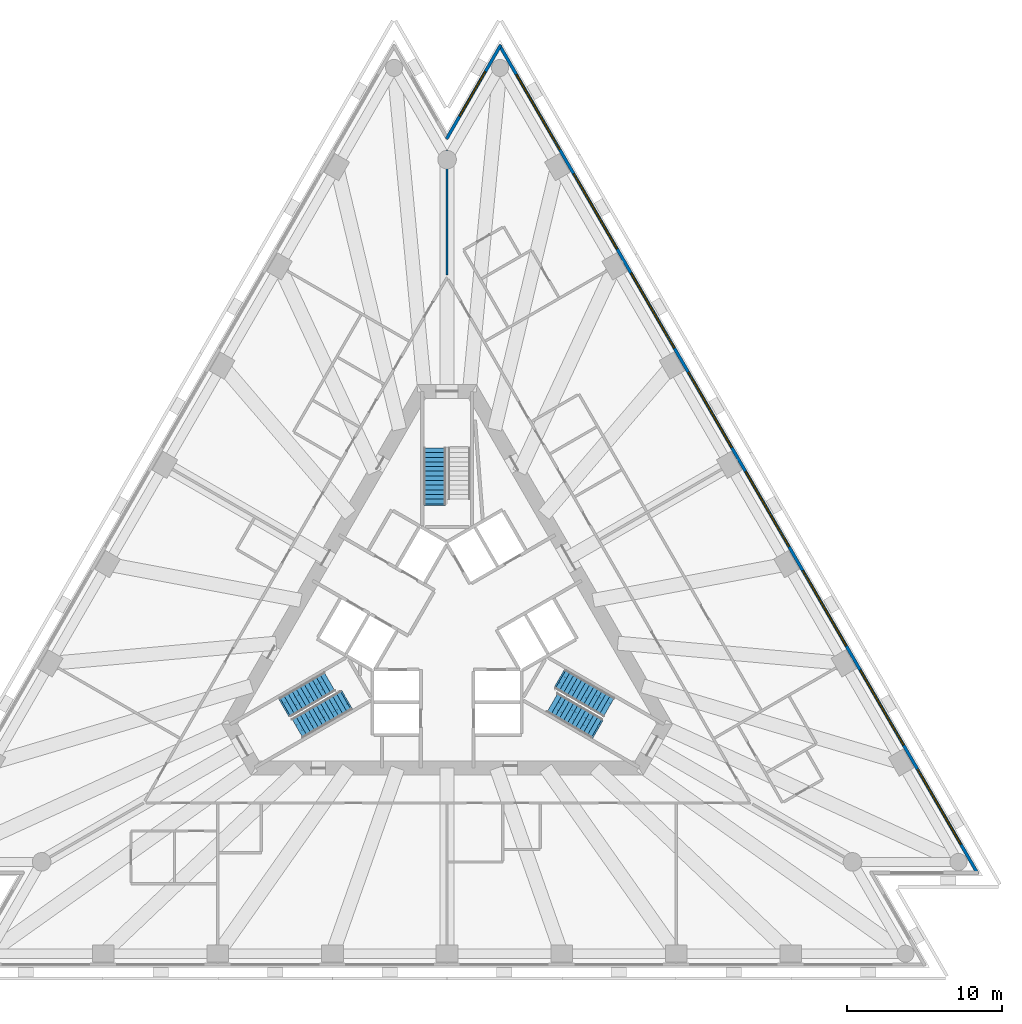
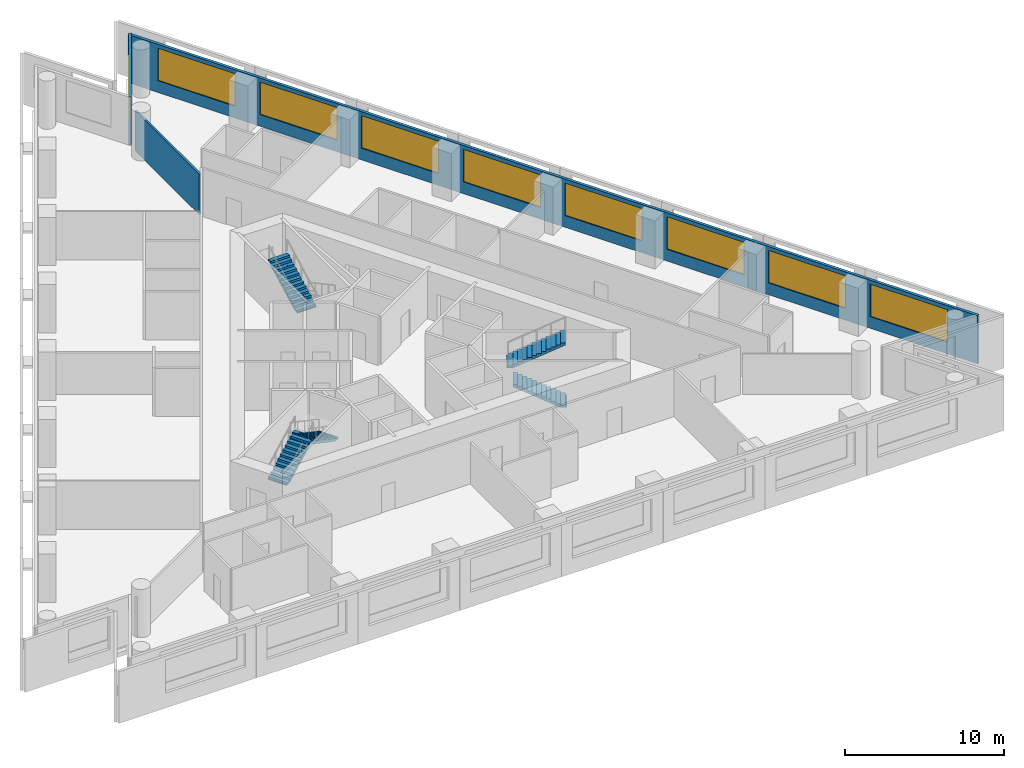
# One storey, part 8 of 11: 9 windows, 5 stair flights, 3 walls, 9 openings, 3 elements without a shape of their own.
"""IFC4 building model written with IfcOpenShell, lengths in metres."""

from ifc_helpers import new_model, si_unit, direction, frame, frame_2d, origin, place, context, subcontext, project, spatial, polyline, rectangle, outline, extrude, material, layer, layer_set, layer_usage, type_object, element, fill, aggregate, save


model = new_model("IFC4")

# Units and contexts
model_context = context("Model", 3, precision=1e-05, world=origin(), true_north=direction((0.0, 1.0)))
body_context = subcontext(model_context, "Body", "Model", "MODEL_VIEW")
ifc_project = project(units=[si_unit("LENGTHUNIT", "METRE"), si_unit("AREAUNIT", "SQUARE_METRE"), si_unit("VOLUMEUNIT", "CUBIC_METRE"), si_unit("PLANEANGLEUNIT", "RADIAN"), si_unit("MASSUNIT", "GRAM", prefix="KILO")], contexts=[model_context])

# Site, building, storey
site_placement = place(None, origin())
site = spatial("IfcSite", under=ifc_project, at=site_placement, CompositionType="ELEMENT")
building_placement = place(site_placement, origin())
building = spatial("IfcBuilding", under=site, at=building_placement, Name="Triada Interchange Tower", CompositionType="ELEMENT")
storey_placement = place(building_placement, frame((0.0, 0.0, 67.300048828125)))
storey = spatial("IfcBuildingStorey", under=building, at=storey_placement, Name="L14", CompositionType="ELEMENT", Elevation=67.300048828125)

# Wall, openings, windows
ifc_material_1 = material(Name="Cement board")
ifc_layer_1 = layer(ifc_material_1, 0.02001953125, Name="Cement board cladding")
ifc_material_2 = material(Name="Sheathing board")
ifc_layer_2 = layer(ifc_material_2, 0.014892578125, Name="Sheathing board")
ifc_material_3 = material(Name="Mineral wool")
ifc_layer_3 = layer(ifc_material_3, 0.14990234375, Name="Mineral wool between steel studs")
ifc_material_4 = material(Name="Gypsum board")
ifc_layer_4 = layer(ifc_material_4, 0.014892578125, Name="Plasterboard lining")
ifc_layer_set_1 = layer_set([ifc_layer_1, ifc_layer_2, ifc_layer_3, ifc_layer_4], Name="External wall 200")
ifc_layer_usage = layer_usage(ifc_layer_set_1, "AXIS2", "POSITIVE", -0.10009765625)
wall_type_1 = type_object("IfcWallType", Name="External wall 200", PredefinedType="ELEMENTEDWALL", material=ifc_layer_set_1)
wall_1_placement = place(storey_placement, frame((34.240966796875, -15.8759765625, 0.0), z_axis=(0.0, 0.0, 1.0), x_axis=(-0.500006313899, 0.866021758423, 0.0)))
wall_1 = element("IfcWall", 1, at=wall_1_placement, inside=storey, type_object=wall_type_1, material=ifc_layer_usage, Name="External wall L14 NE", PredefinedType="ELEMENTEDWALL", context=body_context, shape_type="SweptSolid", body=[
    extrude(rectangle(XDim=61.718994140625, YDim=0.199951171875, at=frame_2d((30.859375, 0.0))), origin(), (0.0, 0.0, 1.0), 3.699951171875),
])
opening_1_placement = place(wall_1_placement, frame((2.198974609375, 0.0, 0.89990234375)))
opening_1 = element("IfcOpeningElement", 2, at=opening_1_placement, cuts=wall_1, Name="Opening WA21", PredefinedType="OPENING", context=body_context, shape_type="SweptSolid", body=[
    extrude(rectangle(XDim=5.60009765625, YDim=2.5, at=frame_2d((2.800048828125, 1.25))), frame((0.0, 0.10986328125, 0.0), z_axis=(0.0, -1.0, 0.0), x_axis=(1.0, 0.0, 0.0)), (0.0, 0.0, 1.0), 0.219970703125),
])
opening_2_placement = place(wall_1_placement, frame((9.590087890625, 0.0, 0.89990234375)))
opening_2 = element("IfcOpeningElement", 3, at=opening_2_placement, cuts=wall_1, Name="Opening WA22", PredefinedType="OPENING", context=body_context, shape_type="SweptSolid", body=[
    extrude(rectangle(XDim=5.60009765625, YDim=2.5, at=frame_2d((2.800048828125, 1.25))), frame((0.0, 0.10986328125, 0.0), z_axis=(0.0, -1.0, 0.0), x_axis=(1.0, 0.0, 0.0)), (0.0, 0.0, 1.0), 0.219970703125),
])
opening_3_placement = place(wall_1_placement, frame((16.98193359375, 0.0, 0.89990234375)))
opening_3 = element("IfcOpeningElement", 4, at=opening_3_placement, cuts=wall_1, Name="Opening WA23", PredefinedType="OPENING", context=body_context, shape_type="SweptSolid", body=[
    extrude(rectangle(XDim=5.60009765625, YDim=2.5, at=frame_2d((2.800048828125, 1.25))), frame((0.0, 0.10986328125, 0.0), z_axis=(0.0, -1.0, 0.0), x_axis=(1.0, 0.0, 0.0)), (0.0, 0.0, 1.0), 0.219970703125),
])
opening_4_placement = place(wall_1_placement, frame((24.3740234375, 0.0, 0.89990234375)))
opening_4 = element("IfcOpeningElement", 5, at=opening_4_placement, cuts=wall_1, Name="Opening WA24", PredefinedType="OPENING", context=body_context, shape_type="SweptSolid", body=[
    extrude(rectangle(XDim=5.60009765625, YDim=2.5, at=frame_2d((2.800048828125, 1.25))), frame((0.0, 0.10986328125, 0.0), z_axis=(0.0, -1.0, 0.0), x_axis=(1.0, 0.0, 0.0)), (0.0, 0.0, 1.0), 0.219970703125),
])
opening_5_placement = place(wall_1_placement, frame((31.764892578125, 0.0, 0.89990234375)))
opening_5 = element("IfcOpeningElement", 6, at=opening_5_placement, cuts=wall_1, Name="Opening WA25", PredefinedType="OPENING", context=body_context, shape_type="SweptSolid", body=[
    extrude(rectangle(XDim=5.60009765625, YDim=2.5, at=frame_2d((2.800048828125, 1.25))), frame((0.0, 0.10986328125, 0.0), z_axis=(0.0, -1.0, 0.0), x_axis=(1.0, 0.0, 0.0)), (0.0, 0.0, 1.0), 0.219970703125),
])
opening_6_placement = place(wall_1_placement, frame((39.156982421875, 0.0, 0.89990234375)))
opening_6 = element("IfcOpeningElement", 7, at=opening_6_placement, cuts=wall_1, Name="Opening WA26", PredefinedType="OPENING", context=body_context, shape_type="SweptSolid", body=[
    extrude(rectangle(XDim=5.60009765625, YDim=2.5, at=frame_2d((2.800048828125, 1.25))), frame((0.0, 0.10986328125, 0.0), z_axis=(0.0, -1.0, 0.0), x_axis=(1.0, 0.0, 0.0)), (0.0, 0.0, 1.0), 0.219970703125),
])
opening_7_placement = place(wall_1_placement, frame((46.549072265625, 0.0, 0.89990234375)))
opening_7 = element("IfcOpeningElement", 8, at=opening_7_placement, cuts=wall_1, Name="Opening WA27", PredefinedType="OPENING", context=body_context, shape_type="SweptSolid", body=[
    extrude(rectangle(XDim=5.60009765625, YDim=2.5, at=frame_2d((2.800048828125, 1.25))), frame((0.0, 0.10986328125, 0.0), z_axis=(0.0, -1.0, 0.0), x_axis=(1.0, 0.0, 0.0)), (0.0, 0.0, 1.0), 0.219970703125),
])
opening_8_placement = place(wall_1_placement, frame((53.93994140625, 0.0, 0.89990234375)))
opening_8 = element("IfcOpeningElement", 9, at=opening_8_placement, cuts=wall_1, Name="Opening WA28", PredefinedType="OPENING", context=body_context, shape_type="SweptSolid", body=[
    extrude(rectangle(XDim=5.60009765625, YDim=2.5, at=frame_2d((2.800048828125, 1.25))), frame((0.0, 0.10986328125, 0.0), z_axis=(0.0, -1.0, 0.0), x_axis=(1.0, 0.0, 0.0)), (0.0, 0.0, 1.0), 0.219970703125),
])
ifc_material_5 = material(Name="Double glazed aluminium window", Category="aluminium")
window_type_1 = type_object("IfcWindowType", Name="Ribbon window A face", PartitioningType="SINGLE_PANEL", PredefinedType="WINDOW", material=ifc_material_5)
window_1_placement = place(opening_1_placement, origin())
window_1 = element("IfcWindow", 10, at=window_1_placement, inside=storey, type_object=window_type_1, Name="Window L14 NE 1", OverallHeight=2.5, OverallWidth=5.60009765625, PartitioningType="SINGLE_PANEL", PredefinedType="WINDOW", context=body_context, shape_type="SweptSolid", body=[
    extrude(rectangle(XDim=5.60009765625, YDim=2.5, at=frame_2d((2.800048828125, 1.25))), frame((0.0, 0.030029296875, 0.0), z_axis=(0.0, -1.0, 0.0), x_axis=(1.0, 0.0, 0.0)), (0.0, 0.0, 1.0), 0.06005859375),
])
fill(opening_1, window_1)
window_2_placement = place(opening_2_placement, origin())
window_2 = element("IfcWindow", 11, at=window_2_placement, inside=storey, type_object=window_type_1, Name="Window L14 NE 2", OverallHeight=2.5, OverallWidth=5.60009765625, PartitioningType="SINGLE_PANEL", PredefinedType="WINDOW", context=body_context, shape_type="SweptSolid", body=[
    extrude(rectangle(XDim=5.60009765625, YDim=2.5, at=frame_2d((2.800048828125, 1.25))), frame((0.0, 0.030029296875, 0.0), z_axis=(0.0, -1.0, 0.0), x_axis=(1.0, 0.0, 0.0)), (0.0, 0.0, 1.0), 0.06005859375),
])
fill(opening_2, window_2)
window_3_placement = place(opening_3_placement, origin())
window_3 = element("IfcWindow", 12, at=window_3_placement, inside=storey, type_object=window_type_1, Name="Window L14 NE 3", OverallHeight=2.5, OverallWidth=5.60009765625, PartitioningType="SINGLE_PANEL", PredefinedType="WINDOW", context=body_context, shape_type="SweptSolid", body=[
    extrude(rectangle(XDim=5.60009765625, YDim=2.5, at=frame_2d((2.800048828125, 1.25))), frame((0.0, 0.030029296875, 0.0), z_axis=(0.0, -1.0, 0.0), x_axis=(1.0, 0.0, 0.0)), (0.0, 0.0, 1.0), 0.06005859375),
])
fill(opening_3, window_3)
window_4_placement = place(opening_4_placement, origin())
window_4 = element("IfcWindow", 13, at=window_4_placement, inside=storey, type_object=window_type_1, Name="Window L14 NE 4", OverallHeight=2.5, OverallWidth=5.60009765625, PartitioningType="SINGLE_PANEL", PredefinedType="WINDOW", context=body_context, shape_type="SweptSolid", body=[
    extrude(rectangle(XDim=5.60009765625, YDim=2.5, at=frame_2d((2.800048828125, 1.25))), frame((0.0, 0.030029296875, 0.0), z_axis=(0.0, -1.0, 0.0), x_axis=(1.0, 0.0, 0.0)), (0.0, 0.0, 1.0), 0.06005859375),
])
fill(opening_4, window_4)
window_5_placement = place(opening_5_placement, origin())
window_5 = element("IfcWindow", 14, at=window_5_placement, inside=storey, type_object=window_type_1, Name="Window L14 NE 5", OverallHeight=2.5, OverallWidth=5.60009765625, PartitioningType="SINGLE_PANEL", PredefinedType="WINDOW", context=body_context, shape_type="SweptSolid", body=[
    extrude(rectangle(XDim=5.60009765625, YDim=2.5, at=frame_2d((2.800048828125, 1.25))), frame((0.0, 0.030029296875, 0.0), z_axis=(0.0, -1.0, 0.0), x_axis=(1.0, 0.0, 0.0)), (0.0, 0.0, 1.0), 0.06005859375),
])
fill(opening_5, window_5)
window_6_placement = place(opening_6_placement, origin())
window_6 = element("IfcWindow", 15, at=window_6_placement, inside=storey, type_object=window_type_1, Name="Window L14 NE 6", OverallHeight=2.5, OverallWidth=5.60009765625, PartitioningType="SINGLE_PANEL", PredefinedType="WINDOW", context=body_context, shape_type="SweptSolid", body=[
    extrude(rectangle(XDim=5.60009765625, YDim=2.5, at=frame_2d((2.800048828125, 1.25))), frame((0.0, 0.030029296875, 0.0), z_axis=(0.0, -1.0, 0.0), x_axis=(1.0, 0.0, 0.0)), (0.0, 0.0, 1.0), 0.06005859375),
])
fill(opening_6, window_6)
window_7_placement = place(opening_7_placement, origin())
window_7 = element("IfcWindow", 16, at=window_7_placement, inside=storey, type_object=window_type_1, Name="Window L14 NE 7", OverallHeight=2.5, OverallWidth=5.60009765625, PartitioningType="SINGLE_PANEL", PredefinedType="WINDOW", context=body_context, shape_type="SweptSolid", body=[
    extrude(rectangle(XDim=5.60009765625, YDim=2.5, at=frame_2d((2.800048828125, 1.25))), frame((0.0, 0.030029296875, 0.0), z_axis=(0.0, -1.0, 0.0), x_axis=(1.0, 0.0, 0.0)), (0.0, 0.0, 1.0), 0.06005859375),
])
fill(opening_7, window_7)
window_8_placement = place(opening_8_placement, origin())
window_8 = element("IfcWindow", 17, at=window_8_placement, inside=storey, type_object=window_type_1, Name="Window L14 NE 8", OverallHeight=2.5, OverallWidth=5.60009765625, PartitioningType="SINGLE_PANEL", PredefinedType="WINDOW", context=body_context, shape_type="SweptSolid", body=[
    extrude(rectangle(XDim=5.60009765625, YDim=2.5, at=frame_2d((2.800048828125, 1.25))), frame((0.0, 0.030029296875, 0.0), z_axis=(0.0, -1.0, 0.0), x_axis=(1.0, 0.0, 0.0)), (0.0, 0.0, 1.0), 0.06005859375),
])
fill(opening_8, window_8)

# Wall, opening, window
wall_2_placement = place(storey_placement, frame((3.4609375, 37.591064453125, 0.0), z_axis=(0.0, 0.0, 1.0), x_axis=(-0.499927968592, -0.866066987143, 0.0)))
wall_2 = element("IfcWall", 18, at=wall_2_placement, inside=storey, type_object=wall_type_1, material=ifc_layer_usage, Name="External wall L14 N-1", PredefinedType="ELEMENTEDWALL", context=body_context, shape_type="SweptSolid", body=[
    extrude(rectangle(XDim=6.99267578125, YDim=0.199951171875, at=frame_2d((3.496337890625, 0.0))), origin(), (0.0, 0.0, 1.0), 3.699951171875),
])
opening_9_placement = place(wall_2_placement, frame((1.989990234375, 0.0, 0.89990234375)))
opening_9 = element("IfcOpeningElement", 19, at=opening_9_placement, cuts=wall_2, Name="Opening WA29", PredefinedType="OPENING", context=body_context, shape_type="SweptSolid", body=[
    extrude(rectangle(XDim=3.300048828125, YDim=2.5, at=frame_2d((1.64990234375, 1.25))), frame((0.0, 0.10986328125, 0.0), z_axis=(0.0, -1.0, 0.0), x_axis=(1.0, 0.0, 0.0)), (0.0, 0.0, 1.0), 0.219970703125),
])
window_type_2 = type_object("IfcWindowType", Name="Ribbon window A pocket", PartitioningType="SINGLE_PANEL", PredefinedType="WINDOW", material=ifc_material_5)
window_9_placement = place(opening_9_placement, origin())
window_9 = element("IfcWindow", 20, at=window_9_placement, inside=storey, type_object=window_type_2, Name="Window L14 N-1 1", OverallHeight=2.5, OverallWidth=3.300048828125, PartitioningType="SINGLE_PANEL", PredefinedType="WINDOW", context=body_context, shape_type="SweptSolid", body=[
    extrude(rectangle(XDim=3.300048828125, YDim=2.5, at=frame_2d((1.64990234375, 1.25))), frame((0.0, 0.030029296875, 0.0), z_axis=(0.0, -1.0, 0.0), x_axis=(1.0, 0.0, 0.0)), (0.0, 0.0, 1.0), 0.06005859375),
])
fill(opening_9, window_9)

# Wall
ifc_material_6 = material(Name="Gypsum board partition")
ifc_layer_5 = layer(ifc_material_6, 0.14990234375)
ifc_layer_set_2 = layer_set([ifc_layer_5], Name="PARTITION 150 EI 180")
wall_type_2 = type_object("IfcWallType", Name="PARTITION 150 EI 180", PredefinedType="PARTITIONING", material=ifc_layer_set_2)
wall_3_placement = place(storey_placement, frame((0.0, 22.75, 0.0), z_axis=(0.0, 0.0, 1.0), x_axis=(0.0, 1.0, 0.0)))
element("IfcWall", 21, at=wall_3_placement, inside=storey, type_object=wall_type_2, Name="Wall L12 19", PredefinedType="PARTITIONING", context=body_context, shape_type="SweptSolid", body=[
    extrude(rectangle(XDim=8.06591796875, YDim=0.14990234375, at=frame_2d((4.032958984375, 0.0))), origin(), (0.0, 0.0, 1.0), 3.099853515625),
])

# Stair, stair flight
ifc_material_7 = material(Name="Concrete C35/45", Category="concrete")
stair_type = type_object("IfcStairType", Name="HALF TURN STAIR 1400", PredefinedType="HALF_TURN_STAIR", material=ifc_material_7)
stair_1_placement = place(storey_placement, origin())
stair_1 = element("IfcStair", 22, at=stair_1_placement, inside=storey, type_object=stair_type, Name="Exit stair S12-1", PredefinedType="HALF_TURN_STAIR")
stair_flight_type = type_object("IfcStairFlightType", Name="STRAIGHT STAIR FLIGHT 1400", PredefinedType="STRAIGHT", material=ifc_material_7)
stair_flight_1_placement = place(storey_placement, frame((-0.800048828125, 8.0, 1.919921875), z_axis=(0.0, 0.0, 1.0), x_axis=(0.0, 1.0, 0.0)))
stair_flight_1 = element("IfcStairFlight", 23, at=stair_flight_1_placement, type_object=stair_flight_type, Name="S12-1 flight 2", NumberOfRisers=13, NumberOfTreads=12, PredefinedType="STRAIGHT", RiserHeight=0.16, TreadLength=0.3, context=body_context, shape_type="SweptSolid", body=[
    extrude(outline(polyline([(-0.10009765625, 0.0), (-0.10009765625, 0.02001953125), (0.0, 0.02001953125), (0.0, 0.159912109375), (0.300048828125, 0.159912109375), (0.300048828125, 0.320068359375), (0.60009765625, 0.320068359375), (0.60009765625, 0.47998046875), (0.89990234375, 0.47998046875), (0.89990234375, 0.639892578125), (1.199951171875, 0.639892578125), (1.199951171875, 0.800048828125), (1.5, 0.800048828125), (1.5, 0.9599609375), (1.800048828125, 0.9599609375), (1.800048828125, 1.1201171875), (2.10009765625, 1.1201171875), (2.10009765625, 1.280029296875), (2.39990234375, 1.280029296875), (2.39990234375, 1.43994140625), (2.699951171875, 1.43994140625), (2.699951171875, 1.60009765625), (3.0, 1.60009765625), (3.0, 1.760009765625), (3.300048828125, 1.760009765625), (3.300048828125, 1.919921875), (3.60009765625, 1.919921875), (3.60400390625, 1.919921875), (3.60400390625, 2.080078125), (3.60400390625, 1.75), (0.318603515625, 0.0), (-0.10009765625, 0.0)])), frame((0.0, 0.699951171875, 0.0), z_axis=(0.0, -1.0, 0.0), x_axis=(1.0, 0.0, 0.0)), (0.0, 0.0, 1.0), 0.46533203125),
    extrude(outline(polyline([(-0.10009765625, 0.0), (-0.10009765625, 0.02001953125), (0.0, 0.02001953125), (0.0, 0.159912109375), (0.300048828125, 0.159912109375), (0.300048828125, 0.320068359375), (0.60009765625, 0.320068359375), (0.60009765625, 0.47998046875), (0.89990234375, 0.47998046875), (0.89990234375, 0.639892578125), (1.199951171875, 0.639892578125), (1.199951171875, 0.800048828125), (1.5, 0.800048828125), (1.5, 0.9599609375), (1.800048828125, 0.9599609375), (1.800048828125, 1.1201171875), (2.10009765625, 1.1201171875), (2.10009765625, 1.280029296875), (2.39990234375, 1.280029296875), (2.39990234375, 1.43994140625), (2.699951171875, 1.43994140625), (2.699951171875, 1.60009765625), (3.0, 1.60009765625), (3.0, 1.760009765625), (3.300048828125, 1.760009765625), (3.300048828125, 1.919921875), (3.60009765625, 1.919921875), (3.60400390625, 1.919921875), (3.60400390625, 2.080078125), (3.60400390625, 1.75), (0.318603515625, 0.0), (-0.10009765625, 0.0)])), frame((0.0, 0.232666015625, 0.0), z_axis=(0.0, -1.0, 0.0), x_axis=(1.0, 0.0, 0.0)), (0.0, 0.0, 1.0), 0.46533203125),
    extrude(outline(polyline([(-0.10009765625, 0.0), (-0.10009765625, 0.02001953125), (0.0, 0.02001953125), (0.0, 0.159912109375), (0.300048828125, 0.159912109375), (0.300048828125, 0.320068359375), (0.60009765625, 0.320068359375), (0.60009765625, 0.47998046875), (0.89990234375, 0.47998046875), (0.89990234375, 0.639892578125), (1.199951171875, 0.639892578125), (1.199951171875, 0.800048828125), (1.5, 0.800048828125), (1.5, 0.9599609375), (1.800048828125, 0.9599609375), (1.800048828125, 1.1201171875), (2.10009765625, 1.1201171875), (2.10009765625, 1.280029296875), (2.39990234375, 1.280029296875), (2.39990234375, 1.43994140625), (2.699951171875, 1.43994140625), (2.699951171875, 1.60009765625), (3.0, 1.60009765625), (3.0, 1.760009765625), (3.300048828125, 1.760009765625), (3.300048828125, 1.919921875), (3.60009765625, 1.919921875), (3.60400390625, 1.919921875), (3.60400390625, 2.080078125), (3.60400390625, 1.75), (0.318603515625, 0.0), (-0.10009765625, 0.0)])), frame((0.0, -0.234619140625, 0.0), z_axis=(0.0, -1.0, 0.0), x_axis=(1.0, 0.0, 0.0)), (0.0, 0.0, 1.0), 0.46533203125),
])
aggregate(stair_1, [stair_flight_1])

# Stair, stair flights
stair_2_placement = place(storey_placement, origin())
stair_2 = element("IfcStair", 24, at=stair_2_placement, inside=storey, type_object=stair_type, Name="Exit stair S12-2", PredefinedType="HALF_TURN_STAIR")
stair_flight_2_placement = place(storey_placement, frame((-10.446044921875, -5.10693359375, 0.0), z_axis=(0.0, 0.0, 1.0), x_axis=(0.866025403784, 0.5, 0.0)))
stair_flight_2 = element("IfcStairFlight", 25, at=stair_flight_2_placement, type_object=stair_flight_type, Name="S12-2 flight 1", NumberOfRisers=12, NumberOfTreads=11, PredefinedType="STRAIGHT", RiserHeight=0.16, TreadLength=0.3, context=body_context, shape_type="SweptSolid", body=[
    extrude(outline(polyline([(-0.10009765625, 0.0), (-0.10009765625, 0.02001953125), (0.0, 0.02001953125), (0.0, 0.159912109375), (0.300048828125, 0.159912109375), (0.300048828125, 0.320068359375), (0.60009765625, 0.320068359375), (0.60009765625, 0.47998046875), (0.89990234375, 0.47998046875), (0.89990234375, 0.639892578125), (1.199951171875, 0.639892578125), (1.199951171875, 0.800048828125), (1.5, 0.800048828125), (1.5, 0.9599609375), (1.800048828125, 0.9599609375), (1.800048828125, 1.1201171875), (2.10009765625, 1.1201171875), (2.10009765625, 1.280029296875), (2.39990234375, 1.280029296875), (2.39990234375, 1.43994140625), (2.699951171875, 1.43994140625), (2.699951171875, 1.60009765625), (3.0, 1.60009765625), (3.0, 1.760009765625), (3.300048828125, 1.760009765625), (3.303955078125, 1.760009765625), (3.303955078125, 1.919921875), (3.303955078125, 1.590087890625), (0.318603515625, 0.0), (-0.10009765625, 0.0)])), frame((0.0, 0.699951171875, 0.0), z_axis=(0.0, -1.0, 0.0), x_axis=(1.0, 0.0, 0.0)), (0.0, 0.0, 1.0), 0.46533203125),
    extrude(outline(polyline([(-0.10009765625, 0.0), (-0.10009765625, 0.02001953125), (0.0, 0.02001953125), (0.0, 0.159912109375), (0.300048828125, 0.159912109375), (0.300048828125, 0.320068359375), (0.60009765625, 0.320068359375), (0.60009765625, 0.47998046875), (0.89990234375, 0.47998046875), (0.89990234375, 0.639892578125), (1.199951171875, 0.639892578125), (1.199951171875, 0.800048828125), (1.5, 0.800048828125), (1.5, 0.9599609375), (1.800048828125, 0.9599609375), (1.800048828125, 1.1201171875), (2.10009765625, 1.1201171875), (2.10009765625, 1.280029296875), (2.39990234375, 1.280029296875), (2.39990234375, 1.43994140625), (2.699951171875, 1.43994140625), (2.699951171875, 1.60009765625), (3.0, 1.60009765625), (3.0, 1.760009765625), (3.300048828125, 1.760009765625), (3.303955078125, 1.760009765625), (3.303955078125, 1.919921875), (3.303955078125, 1.590087890625), (0.318603515625, 0.0), (-0.10009765625, 0.0)])), frame((0.0, 0.232666015625, 0.0), z_axis=(0.0, -1.0, 0.0), x_axis=(1.0, 0.0, 0.0)), (0.0, 0.0, 1.0), 0.46533203125),
    extrude(outline(polyline([(-0.10009765625, 0.0), (-0.10009765625, 0.02001953125), (0.0, 0.02001953125), (0.0, 0.159912109375), (0.300048828125, 0.159912109375), (0.300048828125, 0.320068359375), (0.60009765625, 0.320068359375), (0.60009765625, 0.47998046875), (0.89990234375, 0.47998046875), (0.89990234375, 0.639892578125), (1.199951171875, 0.639892578125), (1.199951171875, 0.800048828125), (1.5, 0.800048828125), (1.5, 0.9599609375), (1.800048828125, 0.9599609375), (1.800048828125, 1.1201171875), (2.10009765625, 1.1201171875), (2.10009765625, 1.280029296875), (2.39990234375, 1.280029296875), (2.39990234375, 1.43994140625), (2.699951171875, 1.43994140625), (2.699951171875, 1.60009765625), (3.0, 1.60009765625), (3.0, 1.760009765625), (3.300048828125, 1.760009765625), (3.303955078125, 1.760009765625), (3.303955078125, 1.919921875), (3.303955078125, 1.590087890625), (0.318603515625, 0.0), (-0.10009765625, 0.0)])), frame((0.0, -0.234619140625, 0.0), z_axis=(0.0, -1.0, 0.0), x_axis=(1.0, 0.0, 0.0)), (0.0, 0.0, 1.0), 0.46533203125),
])
stair_flight_3_placement = place(storey_placement, frame((-6.528076171875, -4.693115234375, 1.919921875), z_axis=(0.0, 0.0, 1.0), x_axis=(-0.866025403784, -0.5, 0.0)))
stair_flight_3 = element("IfcStairFlight", 26, at=stair_flight_3_placement, type_object=stair_flight_type, Name="S12-2 flight 2", NumberOfRisers=13, NumberOfTreads=12, PredefinedType="STRAIGHT", RiserHeight=0.16, TreadLength=0.3, context=body_context, shape_type="SweptSolid", body=[
    extrude(outline(polyline([(-0.10009765625, 0.0), (-0.10009765625, 0.02001953125), (0.0, 0.02001953125), (0.0, 0.159912109375), (0.300048828125, 0.159912109375), (0.300048828125, 0.320068359375), (0.60009765625, 0.320068359375), (0.60009765625, 0.47998046875), (0.89990234375, 0.47998046875), (0.89990234375, 0.639892578125), (1.199951171875, 0.639892578125), (1.199951171875, 0.800048828125), (1.5, 0.800048828125), (1.5, 0.9599609375), (1.800048828125, 0.9599609375), (1.800048828125, 1.1201171875), (2.10009765625, 1.1201171875), (2.10009765625, 1.280029296875), (2.39990234375, 1.280029296875), (2.39990234375, 1.43994140625), (2.699951171875, 1.43994140625), (2.699951171875, 1.60009765625), (3.0, 1.60009765625), (3.0, 1.760009765625), (3.300048828125, 1.760009765625), (3.300048828125, 1.919921875), (3.60009765625, 1.919921875), (3.60400390625, 1.919921875), (3.60400390625, 2.080078125), (3.60400390625, 1.75), (0.318603515625, 0.0), (-0.10009765625, 0.0)])), frame((0.0, 0.699951171875, 0.0), z_axis=(0.0, -1.0, 0.0), x_axis=(1.0, 0.0, 0.0)), (0.0, 0.0, 1.0), 0.46533203125),
    extrude(outline(polyline([(-0.10009765625, 0.0), (-0.10009765625, 0.02001953125), (0.0, 0.02001953125), (0.0, 0.159912109375), (0.300048828125, 0.159912109375), (0.300048828125, 0.320068359375), (0.60009765625, 0.320068359375), (0.60009765625, 0.47998046875), (0.89990234375, 0.47998046875), (0.89990234375, 0.639892578125), (1.199951171875, 0.639892578125), (1.199951171875, 0.800048828125), (1.5, 0.800048828125), (1.5, 0.9599609375), (1.800048828125, 0.9599609375), (1.800048828125, 1.1201171875), (2.10009765625, 1.1201171875), (2.10009765625, 1.280029296875), (2.39990234375, 1.280029296875), (2.39990234375, 1.43994140625), (2.699951171875, 1.43994140625), (2.699951171875, 1.60009765625), (3.0, 1.60009765625), (3.0, 1.760009765625), (3.300048828125, 1.760009765625), (3.300048828125, 1.919921875), (3.60009765625, 1.919921875), (3.60400390625, 1.919921875), (3.60400390625, 2.080078125), (3.60400390625, 1.75), (0.318603515625, 0.0), (-0.10009765625, 0.0)])), frame((0.0, 0.232666015625, 0.0), z_axis=(0.0, -1.0, 0.0), x_axis=(1.0, 0.0, 0.0)), (0.0, 0.0, 1.0), 0.46533203125),
    extrude(outline(polyline([(-0.10009765625, 0.0), (-0.10009765625, 0.02001953125), (0.0, 0.02001953125), (0.0, 0.159912109375), (0.300048828125, 0.159912109375), (0.300048828125, 0.320068359375), (0.60009765625, 0.320068359375), (0.60009765625, 0.47998046875), (0.89990234375, 0.47998046875), (0.89990234375, 0.639892578125), (1.199951171875, 0.639892578125), (1.199951171875, 0.800048828125), (1.5, 0.800048828125), (1.5, 0.9599609375), (1.800048828125, 0.9599609375), (1.800048828125, 1.1201171875), (2.10009765625, 1.1201171875), (2.10009765625, 1.280029296875), (2.39990234375, 1.280029296875), (2.39990234375, 1.43994140625), (2.699951171875, 1.43994140625), (2.699951171875, 1.60009765625), (3.0, 1.60009765625), (3.0, 1.760009765625), (3.300048828125, 1.760009765625), (3.300048828125, 1.919921875), (3.60009765625, 1.919921875), (3.60400390625, 1.919921875), (3.60400390625, 2.080078125), (3.60400390625, 1.75), (0.318603515625, 0.0), (-0.10009765625, 0.0)])), frame((0.0, -0.234619140625, 0.0), z_axis=(0.0, -1.0, 0.0), x_axis=(1.0, 0.0, 0.0)), (0.0, 0.0, 1.0), 0.46533203125),
])
aggregate(stair_2, [stair_flight_2, stair_flight_3])

stair_3_placement = place(storey_placement, origin())
stair_3 = element("IfcStair", 27, at=stair_3_placement, inside=storey, type_object=stair_type, Name="Exit stair S12-3", PredefinedType="HALF_TURN_STAIR")
stair_flight_4_placement = place(storey_placement, frame((9.64599609375, -6.492919921875, 0.0), z_axis=(0.0, 0.0, 1.0), x_axis=(-0.866025403784, 0.5, 0.0)))
stair_flight_4 = element("IfcStairFlight", 28, at=stair_flight_4_placement, type_object=stair_flight_type, Name="S12-3 flight 1", NumberOfRisers=12, NumberOfTreads=11, PredefinedType="STRAIGHT", RiserHeight=0.16, TreadLength=0.3, context=body_context, shape_type="SweptSolid", body=[
    extrude(outline(polyline([(-0.10009765625, 0.0), (-0.10009765625, 0.02001953125), (0.0, 0.02001953125), (0.0, 0.159912109375), (0.300048828125, 0.159912109375), (0.300048828125, 0.320068359375), (0.60009765625, 0.320068359375), (0.60009765625, 0.47998046875), (0.89990234375, 0.47998046875), (0.89990234375, 0.639892578125), (1.199951171875, 0.639892578125), (1.199951171875, 0.800048828125), (1.5, 0.800048828125), (1.5, 0.9599609375), (1.800048828125, 0.9599609375), (1.800048828125, 1.1201171875), (2.10009765625, 1.1201171875), (2.10009765625, 1.280029296875), (2.39990234375, 1.280029296875), (2.39990234375, 1.43994140625), (2.699951171875, 1.43994140625), (2.699951171875, 1.60009765625), (3.0, 1.60009765625), (3.0, 1.760009765625), (3.300048828125, 1.760009765625), (3.303955078125, 1.760009765625), (3.303955078125, 1.919921875), (3.303955078125, 1.590087890625), (0.318603515625, 0.0), (-0.10009765625, 0.0)])), frame((0.0, 0.699951171875, 0.0), z_axis=(0.0, -1.0, 0.0), x_axis=(1.0, 0.0, 0.0)), (0.0, 0.0, 1.0), 0.46533203125),
    extrude(outline(polyline([(-0.10009765625, 0.0), (-0.10009765625, 0.02001953125), (0.0, 0.02001953125), (0.0, 0.159912109375), (0.300048828125, 0.159912109375), (0.300048828125, 0.320068359375), (0.60009765625, 0.320068359375), (0.60009765625, 0.47998046875), (0.89990234375, 0.47998046875), (0.89990234375, 0.639892578125), (1.199951171875, 0.639892578125), (1.199951171875, 0.800048828125), (1.5, 0.800048828125), (1.5, 0.9599609375), (1.800048828125, 0.9599609375), (1.800048828125, 1.1201171875), (2.10009765625, 1.1201171875), (2.10009765625, 1.280029296875), (2.39990234375, 1.280029296875), (2.39990234375, 1.43994140625), (2.699951171875, 1.43994140625), (2.699951171875, 1.60009765625), (3.0, 1.60009765625), (3.0, 1.760009765625), (3.300048828125, 1.760009765625), (3.303955078125, 1.760009765625), (3.303955078125, 1.919921875), (3.303955078125, 1.590087890625), (0.318603515625, 0.0), (-0.10009765625, 0.0)])), frame((0.0, 0.232666015625, 0.0), z_axis=(0.0, -1.0, 0.0), x_axis=(1.0, 0.0, 0.0)), (0.0, 0.0, 1.0), 0.46533203125),
    extrude(outline(polyline([(-0.10009765625, 0.0), (-0.10009765625, 0.02001953125), (0.0, 0.02001953125), (0.0, 0.159912109375), (0.300048828125, 0.159912109375), (0.300048828125, 0.320068359375), (0.60009765625, 0.320068359375), (0.60009765625, 0.47998046875), (0.89990234375, 0.47998046875), (0.89990234375, 0.639892578125), (1.199951171875, 0.639892578125), (1.199951171875, 0.800048828125), (1.5, 0.800048828125), (1.5, 0.9599609375), (1.800048828125, 0.9599609375), (1.800048828125, 1.1201171875), (2.10009765625, 1.1201171875), (2.10009765625, 1.280029296875), (2.39990234375, 1.280029296875), (2.39990234375, 1.43994140625), (2.699951171875, 1.43994140625), (2.699951171875, 1.60009765625), (3.0, 1.60009765625), (3.0, 1.760009765625), (3.300048828125, 1.760009765625), (3.303955078125, 1.760009765625), (3.303955078125, 1.919921875), (3.303955078125, 1.590087890625), (0.318603515625, 0.0), (-0.10009765625, 0.0)])), frame((0.0, -0.234619140625, 0.0), z_axis=(0.0, -1.0, 0.0), x_axis=(1.0, 0.0, 0.0)), (0.0, 0.0, 1.0), 0.46533203125),
])
stair_flight_5_placement = place(storey_placement, frame((7.327880859375, -3.306884765625, 1.919921875), z_axis=(0.0, 0.0, 1.0), x_axis=(0.866025403784, -0.5, 0.0)))
stair_flight_5 = element("IfcStairFlight", 29, at=stair_flight_5_placement, type_object=stair_flight_type, Name="S12-3 flight 2", NumberOfRisers=13, NumberOfTreads=12, PredefinedType="STRAIGHT", RiserHeight=0.16, TreadLength=0.3, context=body_context, shape_type="SweptSolid", body=[
    extrude(outline(polyline([(-0.10009765625, 0.0), (-0.10009765625, 0.02001953125), (0.0, 0.02001953125), (0.0, 0.159912109375), (0.300048828125, 0.159912109375), (0.300048828125, 0.320068359375), (0.60009765625, 0.320068359375), (0.60009765625, 0.47998046875), (0.89990234375, 0.47998046875), (0.89990234375, 0.639892578125), (1.199951171875, 0.639892578125), (1.199951171875, 0.800048828125), (1.5, 0.800048828125), (1.5, 0.9599609375), (1.800048828125, 0.9599609375), (1.800048828125, 1.1201171875), (2.10009765625, 1.1201171875), (2.10009765625, 1.280029296875), (2.39990234375, 1.280029296875), (2.39990234375, 1.43994140625), (2.699951171875, 1.43994140625), (2.699951171875, 1.60009765625), (3.0, 1.60009765625), (3.0, 1.760009765625), (3.300048828125, 1.760009765625), (3.300048828125, 1.919921875), (3.60009765625, 1.919921875), (3.60400390625, 1.919921875), (3.60400390625, 2.080078125), (3.60400390625, 1.75), (0.318603515625, 0.0), (-0.10009765625, 0.0)])), frame((0.0, 0.699951171875, 0.0), z_axis=(0.0, -1.0, 0.0), x_axis=(1.0, 0.0, 0.0)), (0.0, 0.0, 1.0), 0.46533203125),
    extrude(outline(polyline([(-0.10009765625, 0.0), (-0.10009765625, 0.02001953125), (0.0, 0.02001953125), (0.0, 0.159912109375), (0.300048828125, 0.159912109375), (0.300048828125, 0.320068359375), (0.60009765625, 0.320068359375), (0.60009765625, 0.47998046875), (0.89990234375, 0.47998046875), (0.89990234375, 0.639892578125), (1.199951171875, 0.639892578125), (1.199951171875, 0.800048828125), (1.5, 0.800048828125), (1.5, 0.9599609375), (1.800048828125, 0.9599609375), (1.800048828125, 1.1201171875), (2.10009765625, 1.1201171875), (2.10009765625, 1.280029296875), (2.39990234375, 1.280029296875), (2.39990234375, 1.43994140625), (2.699951171875, 1.43994140625), (2.699951171875, 1.60009765625), (3.0, 1.60009765625), (3.0, 1.760009765625), (3.300048828125, 1.760009765625), (3.300048828125, 1.919921875), (3.60009765625, 1.919921875), (3.60400390625, 1.919921875), (3.60400390625, 2.080078125), (3.60400390625, 1.75), (0.318603515625, 0.0), (-0.10009765625, 0.0)])), frame((0.0, 0.232666015625, 0.0), z_axis=(0.0, -1.0, 0.0), x_axis=(1.0, 0.0, 0.0)), (0.0, 0.0, 1.0), 0.46533203125),
    extrude(outline(polyline([(-0.10009765625, 0.0), (-0.10009765625, 0.02001953125), (0.0, 0.02001953125), (0.0, 0.159912109375), (0.300048828125, 0.159912109375), (0.300048828125, 0.320068359375), (0.60009765625, 0.320068359375), (0.60009765625, 0.47998046875), (0.89990234375, 0.47998046875), (0.89990234375, 0.639892578125), (1.199951171875, 0.639892578125), (1.199951171875, 0.800048828125), (1.5, 0.800048828125), (1.5, 0.9599609375), (1.800048828125, 0.9599609375), (1.800048828125, 1.1201171875), (2.10009765625, 1.1201171875), (2.10009765625, 1.280029296875), (2.39990234375, 1.280029296875), (2.39990234375, 1.43994140625), (2.699951171875, 1.43994140625), (2.699951171875, 1.60009765625), (3.0, 1.60009765625), (3.0, 1.760009765625), (3.300048828125, 1.760009765625), (3.300048828125, 1.919921875), (3.60009765625, 1.919921875), (3.60400390625, 1.919921875), (3.60400390625, 2.080078125), (3.60400390625, 1.75), (0.318603515625, 0.0), (-0.10009765625, 0.0)])), frame((0.0, -0.234619140625, 0.0), z_axis=(0.0, -1.0, 0.0), x_axis=(1.0, 0.0, 0.0)), (0.0, 0.0, 1.0), 0.46533203125),
])
aggregate(stair_3, [stair_flight_4, stair_flight_5])

save(model, "model.ifc")
